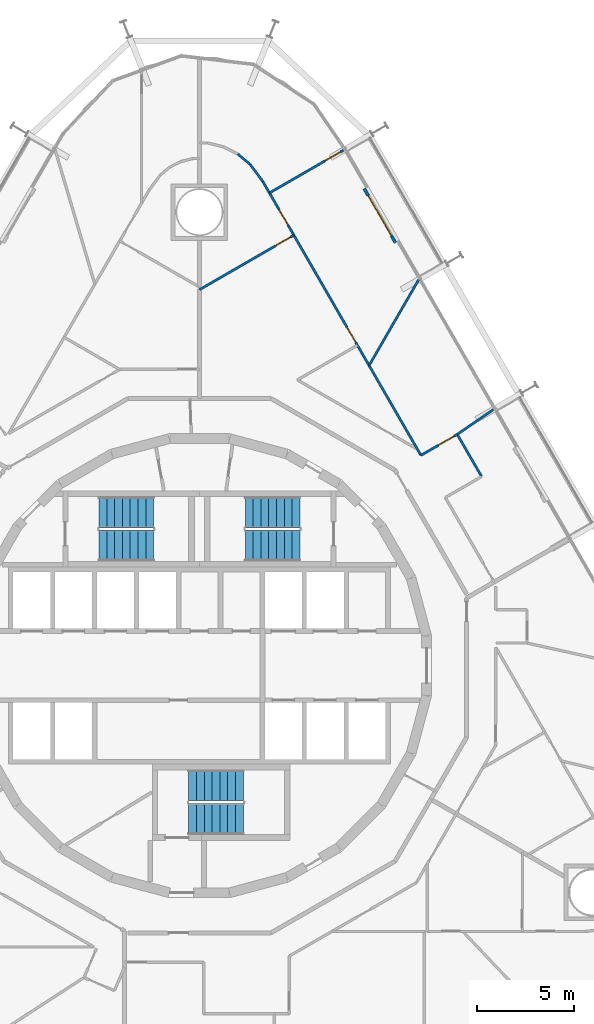
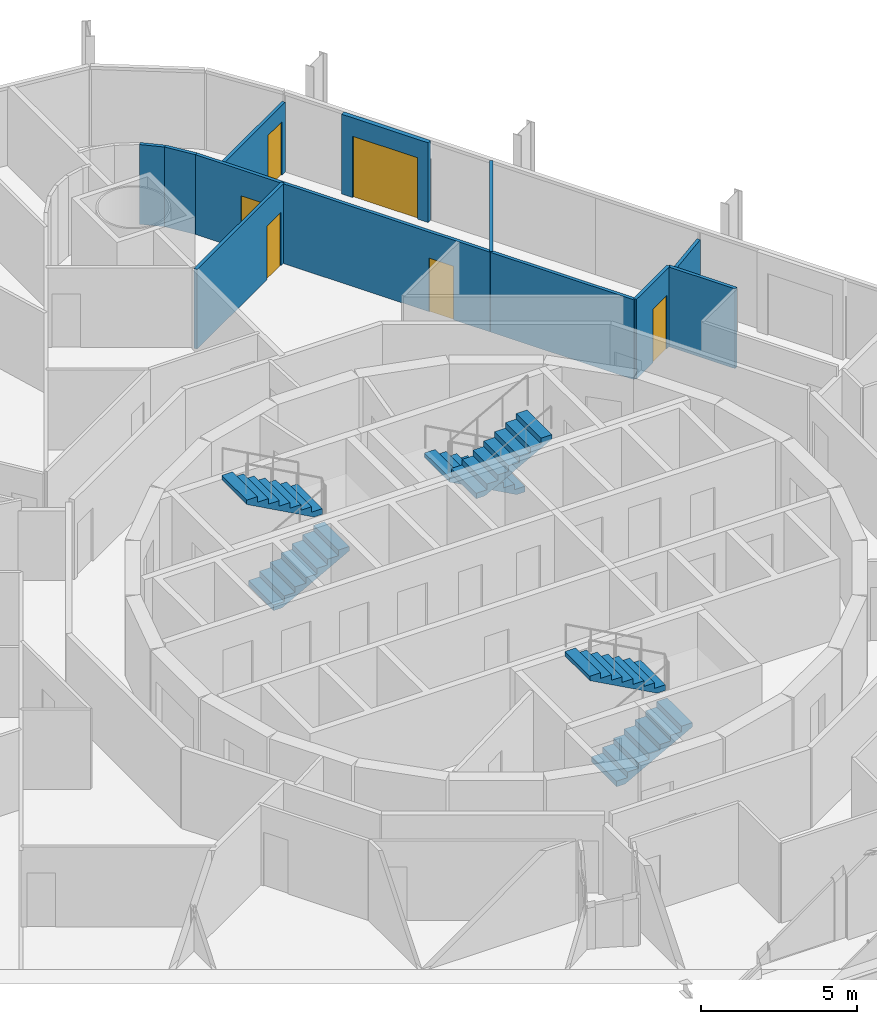
# One storey, part 19 of 21: 11 walls, 6 doors, 6 stair flights, 6 openings, 3 elements without a shape of their own.
"""IFC4 building model written with IfcOpenShell, lengths in metres."""

from ifc_helpers import new_model, si_unit, direction, frame, frame_2d, origin, place, context, subcontext, project, spatial, polyline, rectangle, outline, extrude, material, layer, layer_set, type_object, element, fill, aggregate, save


model = new_model("IFC4")

# Units and contexts
model_context = context("Model", 3, precision=1e-05, world=origin(), true_north=direction((0.0, 1.0)))
body_context = subcontext(model_context, "Body", "Model", "MODEL_VIEW")
ifc_project = project(units=[si_unit("LENGTHUNIT", "METRE"), si_unit("AREAUNIT", "SQUARE_METRE"), si_unit("VOLUMEUNIT", "CUBIC_METRE"), si_unit("PLANEANGLEUNIT", "RADIAN"), si_unit("MASSUNIT", "GRAM", prefix="KILO")], contexts=[model_context])

# Site, building, storey
site_placement = place(None, origin())
site = spatial("IfcSite", under=ifc_project, at=site_placement, CompositionType="ELEMENT")
building_placement = place(site_placement, origin())
building = spatial("IfcBuilding", under=site, at=building_placement, Name="Spindle Arch Residences", CompositionType="ELEMENT")
storey_placement = place(building_placement, frame((0.0, 0.0, 48.89990234375)))
storey = spatial("IfcBuildingStorey", under=building, at=storey_placement, Name="L10", CompositionType="ELEMENT", Elevation=48.89990234375)

# Wall
ifc_material_1 = material(Name="Plasterboard on steel studs", Category="steel")
ifc_layer_1 = layer(ifc_material_1, 0.1201171875)
ifc_layer_set_1 = layer_set([ifc_layer_1], Name="Flat partition 120")
wall_type_1 = type_object("IfcWallType", Name="Flat partition 120", PredefinedType="PARTITIONING", material=ifc_layer_set_1)
wall_1_placement = place(storey_placement, frame((14.470703125, 9.697021484375, 0.0), z_axis=(0.0, 0.0, 1.0), x_axis=(-0.500004234368, 0.866022959057, 0.0)))
element("IfcWall", 1, at=wall_1_placement, inside=storey, type_object=wall_type_1, Name="Flat partition R1B1-W031", PredefinedType="PARTITIONING", context=body_context, shape_type="SweptSolid", body=[
    extrude(rectangle(XDim=2.5, YDim=0.1201171875, at=frame_2d((1.25, 0.0))), origin(), (0.0, 0.0, 1.0), 3.1201171875),
])

# Wall, opening, door
wall_2_placement = place(storey_placement, frame((13.220703125, 11.862060546875, 0.0), z_axis=(0.0, 0.0, 1.0), x_axis=(-0.866055151781, -0.499948471418, 0.0)))
wall_2 = element("IfcWall", 2, at=wall_2_placement, inside=storey, type_object=wall_type_1, Name="Flat partition R1B1-W032", PredefinedType="PARTITIONING", context=body_context, shape_type="SweptSolid", body=[
    extrude(rectangle(XDim=2.150634765625, YDim=0.1201171875, at=frame_2d((1.0751953125, 0.0))), origin(), (0.0, 0.0, 1.0), 3.1201171875),
])
opening_1_placement = place(wall_2_placement, frame((0.199951171875, 0.0, 0.0)))
opening_1 = element("IfcOpeningElement", 3, at=opening_1_placement, cuts=wall_2, Name="Opening R1B1-ID02", PredefinedType="OPENING", context=body_context, shape_type="SweptSolid", body=[
    extrude(rectangle(XDim=0.89990234375, YDim=2.10009765625, at=frame_2d((0.449951171875, 1.050048828125))), frame((0.0, 0.070068359375, 0.0), z_axis=(0.0, -1.0, 0.0), x_axis=(1.0, 0.0, 0.0)), (0.0, 0.0, 1.0), 0.14013671875),
])
ifc_material_2 = material(Name="Timber door set", Category="wood")
door_type_1 = type_object("IfcDoorType", Name="Room door 900x2100", OperationType="NOTDEFINED", PredefinedType="DOOR", material=ifc_material_2)
door_1_placement = place(opening_1_placement, origin())
door_1 = element("IfcDoor", 4, at=door_1_placement, inside=storey, type_object=door_type_1, Name="Room door R1B1-ID02", OperationType="SINGLE_SWING_RIGHT", OverallHeight=2.10009765625, OverallWidth=0.89990234375, PredefinedType="DOOR", context=body_context, shape_type="SweptSolid", body=[
    extrude(rectangle(XDim=0.89990234375, YDim=2.10009765625, at=frame_2d((0.449951171875, 1.050048828125))), frame((0.0, 0.02490234375, 0.0), z_axis=(0.0, -1.0, 0.0), x_axis=(1.0, 0.0, 0.0)), (0.0, 0.0, 1.0), 0.050048828125),
])
fill(opening_1, door_1)

# Wall, openings, doors
wall_3_placement = place(storey_placement, frame((8.69970703125, 15.3916015625, 0.0), z_axis=(0.0, 0.0, 1.0), x_axis=(-0.500002742713, 0.866023820272, 0.0)))
wall_3 = element("IfcWall", 5, at=wall_3_placement, inside=storey, type_object=wall_type_1, Name="Flat partition R1B1-W035", PredefinedType="PARTITIONING", context=body_context, shape_type="SweptSolid", body=[
    extrude(rectangle(XDim=10.90771484375, YDim=0.1201171875, at=frame_2d((5.453857421875, 0.0))), origin(), (0.0, 0.0, 1.0), 3.1201171875),
])
opening_2_placement = place(wall_3_placement, frame((1.360107421875, 0.0, 0.0)))
opening_2 = element("IfcOpeningElement", 6, at=opening_2_placement, cuts=wall_3, Name="Opening R1B1-ID03", PredefinedType="OPENING", context=body_context, shape_type="SweptSolid", body=[
    extrude(rectangle(XDim=0.89990234375, YDim=2.10009765625, at=frame_2d((0.449951171875, 1.050048828125))), frame((0.0, 0.070068359375, 0.0), z_axis=(0.0, -1.0, 0.0), x_axis=(1.0, 0.0, 0.0)), (0.0, 0.0, 1.0), 0.14013671875),
])
opening_3_placement = place(wall_3_placement, frame((8.3173828125, 0.0, 0.0)))
opening_3 = element("IfcOpeningElement", 7, at=opening_3_placement, cuts=wall_3, Name="Opening R1B1-ID06", PredefinedType="OPENING", context=body_context, shape_type="SweptSolid", body=[
    extrude(rectangle(XDim=0.89990234375, YDim=2.10009765625, at=frame_2d((0.449951171875, 1.050048828125))), frame((0.0, 0.070068359375, 0.0), z_axis=(0.0, -1.0, 0.0), x_axis=(1.0, 0.0, 0.0)), (0.0, 0.0, 1.0), 0.14013671875),
])
door_2_placement = place(opening_2_placement, origin())
door_2 = element("IfcDoor", 8, at=door_2_placement, inside=storey, type_object=door_type_1, Name="Room door R1B1-ID03", OperationType="SINGLE_SWING_RIGHT", OverallHeight=2.10009765625, OverallWidth=0.89990234375, PredefinedType="DOOR", context=body_context, shape_type="SweptSolid", body=[
    extrude(rectangle(XDim=0.89990234375, YDim=2.10009765625, at=frame_2d((0.449951171875, 1.050048828125))), frame((0.0, 0.02490234375, 0.0), z_axis=(0.0, -1.0, 0.0), x_axis=(1.0, 0.0, 0.0)), (0.0, 0.0, 1.0), 0.050048828125),
])
fill(opening_2, door_2)
door_3_placement = place(opening_3_placement, origin())
door_3 = element("IfcDoor", 9, at=door_3_placement, inside=storey, type_object=door_type_1, Name="Room door R1B1-ID06", OperationType="SINGLE_SWING_LEFT", OverallHeight=2.10009765625, OverallWidth=0.89990234375, PredefinedType="DOOR", context=body_context, shape_type="SweptSolid", body=[
    extrude(rectangle(XDim=0.89990234375, YDim=2.10009765625, at=frame_2d((0.449951171875, 1.050048828125))), frame((0.0, 0.02490234375, 0.0), z_axis=(0.0, -1.0, 0.0), x_axis=(1.0, 0.0, 0.0)), (0.0, 0.0, 1.0), 0.050048828125),
])
fill(opening_3, door_3)

# Wall, opening, door
wall_4_placement = place(storey_placement, frame((4.8408203125, 22.0751953125, 0.0), z_axis=(0.0, 0.0, 1.0), x_axis=(-0.866019751484, -0.500009789943, 0.0)))
wall_4 = element("IfcWall", 10, at=wall_4_placement, inside=storey, type_object=wall_type_1, Name="Flat partition R1B1-W036", PredefinedType="PARTITIONING", context=body_context, shape_type="SweptSolid", body=[
    extrude(rectangle(XDim=5.58984375, YDim=0.1201171875, at=frame_2d((2.794921875, 0.0))), origin(), (0.0, 0.0, 1.0), 3.1201171875),
])
opening_4_placement = place(wall_4_placement, frame((0.199951171875, 0.0, 0.0)))
opening_4 = element("IfcOpeningElement", 11, at=opening_4_placement, cuts=wall_4, Name="Opening R1B1-ID04", PredefinedType="OPENING", context=body_context, shape_type="SweptSolid", body=[
    extrude(rectangle(XDim=0.89990234375, YDim=2.10009765625, at=frame_2d((0.449951171875, 1.050048828125))), frame((0.0, 0.070068359375, 0.0), z_axis=(0.0, -1.0, 0.0), x_axis=(1.0, 0.0, 0.0)), (0.0, 0.0, 1.0), 0.14013671875),
])
door_4_placement = place(opening_4_placement, origin())
door_4 = element("IfcDoor", 12, at=door_4_placement, inside=storey, type_object=door_type_1, Name="Room door R1B1-ID04", OperationType="SINGLE_SWING_RIGHT", OverallHeight=2.10009765625, OverallWidth=0.89990234375, PredefinedType="DOOR", context=body_context, shape_type="SweptSolid", body=[
    extrude(rectangle(XDim=0.89990234375, YDim=2.10009765625, at=frame_2d((0.449951171875, 1.050048828125))), frame((0.0, 0.02490234375, 0.0), z_axis=(0.0, -1.0, 0.0), x_axis=(1.0, 0.0, 0.0)), (0.0, 0.0, 1.0), 0.050048828125),
])
fill(opening_4, door_4)

# Walls
wall_5_placement = place(storey_placement, frame((8.69970703125, 15.3916015625, 0.0), z_axis=(0.0, 0.0, 1.0), x_axis=(0.499986106925, -0.866033424806, 0.0)))
element("IfcWall", 13, at=wall_5_placement, inside=storey, type_object=wall_type_1, Name="Flat partition R1B1-W038", PredefinedType="PARTITIONING", context=body_context, shape_type="SweptSolid", body=[
    extrude(rectangle(XDim=5.317138671875, YDim=0.1201171875, at=frame_2d((2.65869140625, 0.0))), origin(), (0.0, 0.0, 1.0), 3.1201171875),
])
wall_6_placement = place(storey_placement, frame((11.239990234375, 19.791748046875, 0.0), z_axis=(0.0, 0.0, 1.0), x_axis=(-0.499978956711, -0.866037552792, 0.0)))
element("IfcWall", 14, at=wall_6_placement, inside=storey, type_object=wall_type_1, Name="Flat partition R1B1-W039", PredefinedType="PARTITIONING", context=body_context, shape_type="SweptSolid", body=[
    extrude(rectangle(XDim=5.080810546875, YDim=0.1201171875, at=frame_2d((2.54052734375, 0.0))), origin(), (0.0, 0.0, 1.0), 3.1201171875),
])
wall_7_placement = place(storey_placement, frame((1.9619140625, 26.24267578125, 0.0), z_axis=(0.0, 0.0, 1.0), x_axis=(0.765849913579, -0.643019369748, 0.0)))
element("IfcWall", 15, at=wall_7_placement, inside=storey, type_object=wall_type_1, Name="Flat partition R1B1-W044", PredefinedType="PARTITIONING", context=body_context, shape_type="SweptSolid", body=[
    extrude(rectangle(XDim=0.828857421875, YDim=0.1201171875, at=frame_2d((0.41455078125, 0.0))), origin(), (0.0, 0.0, 1.0), 3.1201171875),
])
wall_8_placement = place(storey_placement, frame((2.5966796875, 25.709716796875, 0.0), z_axis=(0.0, 0.0, 1.0), x_axis=(0.59722925597, -0.802070580319, 0.0)))
element("IfcWall", 16, at=wall_8_placement, inside=storey, type_object=wall_type_1, Name="Flat partition R1B1-W045", PredefinedType="PARTITIONING", context=body_context, shape_type="SweptSolid", body=[
    extrude(rectangle(XDim=1.0869140625, YDim=0.1201171875, at=frame_2d((0.54345703125, 0.0))), origin(), (0.0, 0.0, 1.0), 3.1201171875),
])
ifc_material_3 = material(Name="Plasterboard on steel studs", Category="steel")
ifc_layer_2 = layer(ifc_material_3, 0.1201171875)
ifc_layer_set_2 = layer_set([ifc_layer_2], Name="Flat partition 120 under beam 2730")
wall_type_2 = type_object("IfcWallType", Name="Flat partition 120 under beam 2730", PredefinedType="PARTITIONING", material=ifc_layer_set_2)
wall_9_placement = place(storey_placement, frame((15.080078125, 13.140380859375, 0.0), z_axis=(0.0, 0.0, 1.0), x_axis=(-0.824041924199, -0.566528822887, 0.0)))
element("IfcWall", 17, at=wall_9_placement, inside=storey, type_object=wall_type_2, Name="Flat partition R1B1-W037", PredefinedType="PARTITIONING", context=body_context, shape_type="SweptSolid", body=[
    extrude(rectangle(XDim=2.25634765625, YDim=0.1201171875, at=frame_2d((1.128173828125, 0.0))), origin(), (0.0, 0.0, 1.0), 2.72998046875),
])

# Wall, opening, door
wall_10_placement = place(storey_placement, frame((7.39990234375, 26.44287109375, 0.0), z_axis=(0.0, 0.0, 1.0), x_axis=(-0.866032203192, -0.499988222896, 0.0)))
wall_10 = element("IfcWall", 18, at=wall_10_placement, inside=storey, type_object=wall_type_2, Name="Flat partition R1B1-W040", PredefinedType="PARTITIONING", context=body_context, shape_type="SweptSolid", body=[
    extrude(rectangle(XDim=4.39990234375, YDim=0.1201171875, at=frame_2d((2.199951171875, 0.0))), origin(), (0.0, 0.0, 1.0), 2.72998046875),
])
opening_5_placement = place(wall_10_placement, frame((0.199951171875, 0.0, 0.0)))
opening_5 = element("IfcOpeningElement", 19, at=opening_5_placement, cuts=wall_10, Name="Opening R1B1-ID05", PredefinedType="OPENING", context=body_context, shape_type="SweptSolid", body=[
    extrude(rectangle(XDim=0.89990234375, YDim=2.10009765625, at=frame_2d((0.449951171875, 1.050048828125))), frame((0.0, 0.070068359375, 0.0), z_axis=(0.0, -1.0, 0.0), x_axis=(1.0, 0.0, 0.0)), (0.0, 0.0, 1.0), 0.14013671875),
])
door_5_placement = place(opening_5_placement, origin())
door_5 = element("IfcDoor", 20, at=door_5_placement, inside=storey, type_object=door_type_1, Name="Room door R1B1-ID05", OperationType="SINGLE_SWING_RIGHT", OverallHeight=2.10009765625, OverallWidth=0.89990234375, PredefinedType="DOOR", context=body_context, shape_type="SweptSolid", body=[
    extrude(rectangle(XDim=0.89990234375, YDim=2.10009765625, at=frame_2d((0.449951171875, 1.050048828125))), frame((0.0, 0.02490234375, 0.0), z_axis=(0.0, -1.0, 0.0), x_axis=(1.0, 0.0, 0.0)), (0.0, 0.0, 1.0), 0.050048828125),
])
fill(opening_5, door_5)

ifc_material_4 = material(Name="Non-combustible mineral wool insulated aluminium faced external wall (K0)", Category="aluminium")
ifc_layer_3 = layer(ifc_material_4, 0.159912109375)
ifc_layer_set_3 = layer_set([ifc_layer_3], Name="Insulated external wall panel 160")
wall_type_3 = type_object("IfcWallType", Name="Insulated external wall panel 160", PredefinedType="STANDARD", material=ifc_layer_set_3)
wall_11_placement = place(storey_placement, frame((10.050537109375, 21.691650390625, 0.0), z_axis=(0.0, 0.0, 1.0), x_axis=(-0.499971222258, 0.866042017984, 0.0)))
wall_11 = element("IfcWall", 21, at=wall_11_placement, inside=storey, type_object=wall_type_3, Name="External wall L10 bay 10", PredefinedType="STANDARD", context=body_context, shape_type="SweptSolid", body=[
    extrude(rectangle(XDim=3.199951171875, YDim=0.159912109375, at=frame_2d((1.60009765625, 0.0))), origin(), (0.0, 0.0, 1.0), 3.1201171875),
])
opening_6_placement = place(wall_11_placement, frame((0.39990234375, 0.0, 0.0)))
opening_6 = element("IfcOpeningElement", 22, at=opening_6_placement, cuts=wall_11, Name="Opening BD10", PredefinedType="OPENING", context=body_context, shape_type="SweptSolid", body=[
    extrude(rectangle(XDim=2.39990234375, YDim=2.39990234375, at=frame_2d((1.199951171875, 1.199951171875))), frame((0.0, 0.08984375, 0.0), z_axis=(0.0, -1.0, 0.0), x_axis=(1.0, 0.0, 0.0)), (0.0, 0.0, 1.0), 0.179931640625),
])
ifc_material_5 = material(Name="Bronze aluminium frame, tinted double glazing", Category="aluminium")
door_type_2 = type_object("IfcDoorType", Name="Sliding glazed balcony door 2400x2400", OperationType="DOUBLE_DOOR_SLIDING", PredefinedType="DOOR", material=ifc_material_5)
door_6_placement = place(opening_6_placement, origin())
door_6 = element("IfcDoor", 23, at=door_6_placement, inside=storey, type_object=door_type_2, Name="Balcony door BD10", OperationType="DOUBLE_DOOR_SLIDING", OverallHeight=2.39990234375, OverallWidth=2.39990234375, PredefinedType="DOOR", context=body_context, shape_type="SweptSolid", body=[
    extrude(rectangle(XDim=2.39990234375, YDim=2.39990234375, at=frame_2d((1.199951171875, 1.199951171875))), frame((0.0, 0.02490234375, 0.0), z_axis=(0.0, -1.0, 0.0), x_axis=(1.0, 0.0, 0.0)), (0.0, 0.0, 1.0), 0.050048828125),
])
fill(opening_6, door_6)

# Stair, stair flights
ifc_material_6 = material(Name="Concrete C50/60", Category="concrete")
stair_type = type_object("IfcStairType", Name="Exit stair 16 risers", PredefinedType="HALF_TURN_STAIR", material=ifc_material_6)
stair_1_placement = place(storey_placement, origin())
stair_1 = element("IfcStair", 24, at=stair_1_placement, inside=storey, type_object=stair_type, Name="L10 Exit stair ST1", PredefinedType="HALF_TURN_STAIR")
ifc_material_7 = material(Name="Concrete C50/60", Category="concrete")
stair_flight_type = type_object("IfcStairFlightType", Name="Exit stair flight", PredefinedType="STRAIGHT", material=ifc_material_7)
stair_flight_1_placement = place(storey_placement, frame((5.14990234375, 7.8701171875, 0.0), z_axis=(0.0, 0.0, 1.0), x_axis=(-1.0, 0.0, 0.0)))
stair_flight_1 = element("IfcStairFlight", 25, at=stair_flight_1_placement, type_object=stair_flight_type, Name="ST1 flight 1", NumberOfRisers=8, NumberOfTreads=7, PredefinedType="STRAIGHT", RiserHeight=0.21875, TreadLength=0.4, context=body_context, shape_type="SweptSolid", body=[
    extrude(outline(polyline([(0.0, 0.0), (0.0, 0.21875), (0.39990234375, 0.21875), (0.39990234375, 0.4375), (0.800048828125, 0.4375), (0.800048828125, 0.65625), (1.199951171875, 0.65625), (1.199951171875, 0.875), (1.60009765625, 0.875), (1.60009765625, 1.09375), (2.0, 1.09375), (2.0, 1.3125), (2.39990234375, 1.3125), (2.39990234375, 1.53125), (2.800048828125, 1.53125), (2.800048828125, 1.75), (2.800048828125, 1.3603515625), (0.3125, 0.0), (0.0, 0.0)])), frame((0.0, 0.800048828125, 0.0), z_axis=(0.0, -1.0, 0.0), x_axis=(1.0, 0.0, 0.0)), (0.0, 0.0, 1.0), 1.60009765625),
])
stair_flight_2_placement = place(storey_placement, frame((2.35009765625, 6.14990234375, 1.75), z_axis=(0.0, 0.0, 1.0), x_axis=(1.0, 0.0, 0.0)))
stair_flight_2 = element("IfcStairFlight", 26, at=stair_flight_2_placement, type_object=stair_flight_type, Name="ST1 flight 2", NumberOfRisers=8, NumberOfTreads=7, PredefinedType="STRAIGHT", RiserHeight=0.21875, TreadLength=0.4, context=body_context, shape_type="SweptSolid", body=[
    extrude(outline(polyline([(0.0, 0.0), (0.0, 0.21875), (0.39990234375, 0.21875), (0.39990234375, 0.4375), (0.800048828125, 0.4375), (0.800048828125, 0.65625), (1.199951171875, 0.65625), (1.199951171875, 0.875), (1.60009765625, 0.875), (1.60009765625, 1.09375), (2.0, 1.09375), (2.0, 1.3125), (2.39990234375, 1.3125), (2.39990234375, 1.53125), (2.800048828125, 1.53125), (2.800048828125, 1.75), (2.800048828125, 1.3603515625), (0.3125, 0.0), (0.0, 0.0)])), frame((0.0, 0.800048828125, 0.0), z_axis=(0.0, -1.0, 0.0), x_axis=(1.0, 0.0, 0.0)), (0.0, 0.0, 1.0), 1.60009765625),
])
aggregate(stair_1, [stair_flight_1, stair_flight_2])

stair_2_placement = place(storey_placement, origin())
stair_2 = element("IfcStair", 27, at=stair_2_placement, inside=storey, type_object=stair_type, Name="L10 Exit stair ST2", PredefinedType="HALF_TURN_STAIR")
stair_flight_3_placement = place(storey_placement, frame((-5.14990234375, 6.14990234375, 0.0), z_axis=(0.0, 0.0, 1.0), x_axis=(1.0, 0.0, 0.0)))
stair_flight_3 = element("IfcStairFlight", 28, at=stair_flight_3_placement, type_object=stair_flight_type, Name="ST2 flight 1", NumberOfRisers=8, NumberOfTreads=7, PredefinedType="STRAIGHT", RiserHeight=0.21875, TreadLength=0.4, context=body_context, shape_type="SweptSolid", body=[
    extrude(outline(polyline([(0.0, 0.0), (0.0, 0.21875), (0.39990234375, 0.21875), (0.39990234375, 0.4375), (0.800048828125, 0.4375), (0.800048828125, 0.65625), (1.199951171875, 0.65625), (1.199951171875, 0.875), (1.60009765625, 0.875), (1.60009765625, 1.09375), (2.0, 1.09375), (2.0, 1.3125), (2.39990234375, 1.3125), (2.39990234375, 1.53125), (2.800048828125, 1.53125), (2.800048828125, 1.75), (2.800048828125, 1.3603515625), (0.3125, 0.0), (0.0, 0.0)])), frame((0.0, 0.800048828125, 0.0), z_axis=(0.0, -1.0, 0.0), x_axis=(1.0, 0.0, 0.0)), (0.0, 0.0, 1.0), 1.60009765625),
])
stair_flight_4_placement = place(storey_placement, frame((-2.35009765625, 7.8701171875, 1.75), z_axis=(0.0, 0.0, 1.0), x_axis=(-1.0, 0.0, 0.0)))
stair_flight_4 = element("IfcStairFlight", 29, at=stair_flight_4_placement, type_object=stair_flight_type, Name="ST2 flight 2", NumberOfRisers=8, NumberOfTreads=7, PredefinedType="STRAIGHT", RiserHeight=0.21875, TreadLength=0.4, context=body_context, shape_type="SweptSolid", body=[
    extrude(outline(polyline([(0.0, 0.0), (0.0, 0.21875), (0.39990234375, 0.21875), (0.39990234375, 0.4375), (0.800048828125, 0.4375), (0.800048828125, 0.65625), (1.199951171875, 0.65625), (1.199951171875, 0.875), (1.60009765625, 0.875), (1.60009765625, 1.09375), (2.0, 1.09375), (2.0, 1.3125), (2.39990234375, 1.3125), (2.39990234375, 1.53125), (2.800048828125, 1.53125), (2.800048828125, 1.75), (2.800048828125, 1.3603515625), (0.3125, 0.0), (0.0, 0.0)])), frame((0.0, 0.800048828125, 0.0), z_axis=(0.0, -1.0, 0.0), x_axis=(1.0, 0.0, 0.0)), (0.0, 0.0, 1.0), 1.60009765625),
])
aggregate(stair_2, [stair_flight_3, stair_flight_4])

stair_3_placement = place(storey_placement, origin())
stair_3 = element("IfcStair", 30, at=stair_3_placement, inside=storey, type_object=stair_type, Name="L10 Exit stair ST3", PredefinedType="HALF_TURN_STAIR")
stair_flight_5_placement = place(storey_placement, frame((-0.550048828125, -7.8701171875, 0.0), z_axis=(0.0, 0.0, 1.0), x_axis=(1.0, 0.0, 0.0)))
stair_flight_5 = element("IfcStairFlight", 31, at=stair_flight_5_placement, type_object=stair_flight_type, Name="ST3 flight 1", NumberOfRisers=8, NumberOfTreads=7, PredefinedType="STRAIGHT", RiserHeight=0.21875, TreadLength=0.4, context=body_context, shape_type="SweptSolid", body=[
    extrude(outline(polyline([(0.0, 0.0), (0.0, 0.21875), (0.39990234375, 0.21875), (0.39990234375, 0.4375), (0.800048828125, 0.4375), (0.800048828125, 0.65625), (1.199951171875, 0.65625), (1.199951171875, 0.875), (1.60009765625, 0.875), (1.60009765625, 1.09375), (2.0, 1.09375), (2.0, 1.3125), (2.39990234375, 1.3125), (2.39990234375, 1.53125), (2.800048828125, 1.53125), (2.800048828125, 1.75), (2.800048828125, 1.3603515625), (0.3125, 0.0), (0.0, 0.0)])), frame((0.0, 0.800048828125, 0.0), z_axis=(0.0, -1.0, 0.0), x_axis=(1.0, 0.0, 0.0)), (0.0, 0.0, 1.0), 1.60009765625),
])
stair_flight_6_placement = place(storey_placement, frame((2.25, -6.14990234375, 1.75), z_axis=(0.0, 0.0, 1.0), x_axis=(-1.0, 0.0, 0.0)))
stair_flight_6 = element("IfcStairFlight", 32, at=stair_flight_6_placement, type_object=stair_flight_type, Name="ST3 flight 2", NumberOfRisers=8, NumberOfTreads=7, PredefinedType="STRAIGHT", RiserHeight=0.21875, TreadLength=0.4, context=body_context, shape_type="SweptSolid", body=[
    extrude(outline(polyline([(0.0, 0.0), (0.0, 0.21875), (0.39990234375, 0.21875), (0.39990234375, 0.4375), (0.800048828125, 0.4375), (0.800048828125, 0.65625), (1.199951171875, 0.65625), (1.199951171875, 0.875), (1.60009765625, 0.875), (1.60009765625, 1.09375), (2.0, 1.09375), (2.0, 1.3125), (2.39990234375, 1.3125), (2.39990234375, 1.53125), (2.800048828125, 1.53125), (2.800048828125, 1.75), (2.800048828125, 1.3603515625), (0.3125, 0.0), (0.0, 0.0)])), frame((0.0, 0.800048828125, 0.0), z_axis=(0.0, -1.0, 0.0), x_axis=(1.0, 0.0, 0.0)), (0.0, 0.0, 1.0), 1.60009765625),
])
aggregate(stair_3, [stair_flight_5, stair_flight_6])

save(model, "model.ifc")
